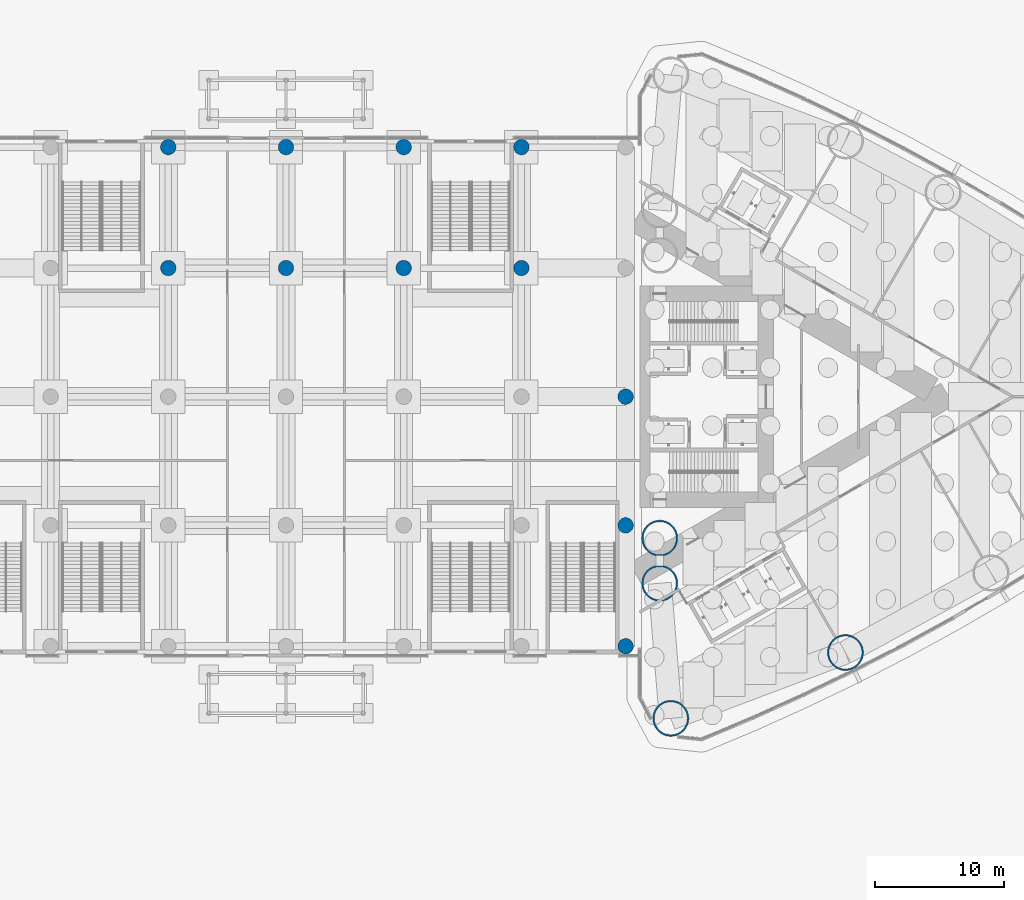
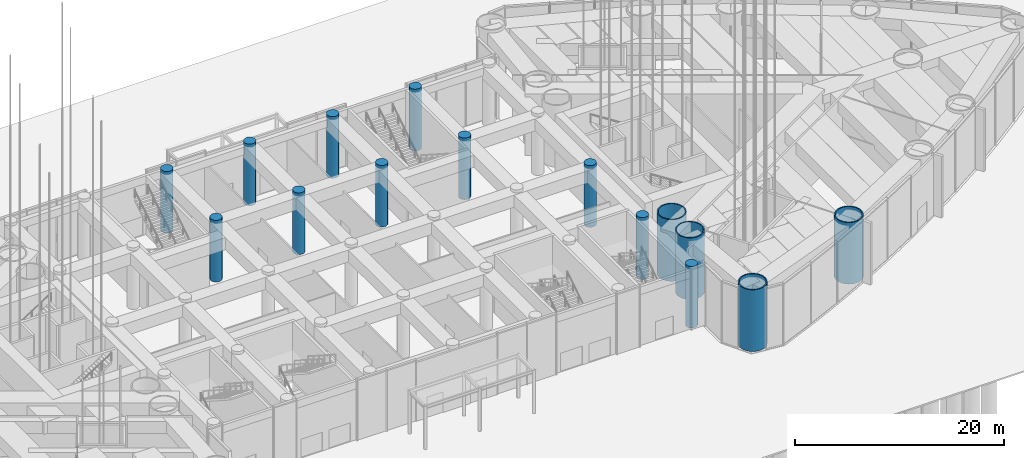
# One storey, part 4 of 43: 15 columns.
"""IFC4 building model written with IfcOpenShell, lengths in metres."""

from ifc_helpers import new_model, si_unit, direction, frame, origin, origin_2d, place, context, subcontext, project, spatial, circle, hollow_circle, extrude, material, material_profile, profile_set, type_object, element, save


model = new_model("IFC4")

# Units and contexts
model_context = context("Model", 3, precision=1e-05, world=origin(), true_north=direction((0.0, 1.0)))
body_context = subcontext(model_context, "Body", "Model", "MODEL_VIEW")
ifc_project = project(units=[si_unit("LENGTHUNIT", "METRE"), si_unit("AREAUNIT", "SQUARE_METRE"), si_unit("VOLUMEUNIT", "CUBIC_METRE"), si_unit("PLANEANGLEUNIT", "RADIAN"), si_unit("MASSUNIT", "GRAM", prefix="KILO")], contexts=[model_context])

# Site, building, storey
site_placement = place(None, origin())
site = spatial("IfcSite", under=ifc_project, at=site_placement, CompositionType="ELEMENT")
building_placement = place(site_placement, origin())
building = spatial("IfcBuilding", under=site, at=building_placement, Name="Lancet Gate Hotel", CompositionType="ELEMENT")
storey_placement = place(building_placement, origin())
storey = spatial("IfcBuildingStorey", under=building, at=storey_placement, Name="L00", CompositionType="ELEMENT", Elevation=0.0)

# Columns
ifc_material_1 = material(Name="Composite filled tube, grade 460 plate, grade 80/95 fill", Category="composite")
ifc_material_profile_1 = material_profile(ifc_material_1, hollow_circle(Radius=1.39990234375, WallThickness=0.1201171875, at=origin_2d()), Name="CHS 2800x120")
ifc_profile_set_1 = profile_set([ifc_material_profile_1], Name="Composite filled tube, grade 460 plate, grade 80/95 fill")
column_type_1 = type_object("IfcColumnType", Name="Perimeter column CFT CHS 2800x120", PredefinedType="COLUMN", material=ifc_profile_set_1)
for number, where, z_axis, x_axis, name in (
    (1, (29.9111328125, -25.00244140625, 0.0), (0.0, 0.0, 1.0), (1.0, 0.0, 0.0), "T2 column CS L00"),
    (2, (29.050048828125, -11.0, 0.0), (0.0, 0.0, 1.0), (1.0, 0.0, 0.0), "T2 column IS L00"),
    (3, (29.050048828125, -14.5, 0.0), (0.0, 0.0, 1.0), (1.0, 0.0, 0.0), "T2 column IT L00"),
    (4, (43.484130859375, -19.886474609375, 0.0), (0.0, 0.0, 1.0), (1.0, 0.0, 0.0), "T2 column OS1 L00"),
):
    element("IfcColumn", number, at=place(storey_placement, frame(where, z_axis=z_axis, x_axis=x_axis)), inside=storey, type_object=column_type_1, Name=name, PredefinedType="COLUMN", context=body_context, shape_type="SweptSolid", body=[
        extrude(hollow_circle(Radius=1.39990234375, WallThickness=0.1201171875, at=origin_2d()), origin(), (0.0, 0.0, 1.0), 7.199951171875),
    ])
ifc_material_2 = material(Name="Concrete C60/75", Category="concrete")
ifc_material_profile_2 = material_profile(ifc_material_2, circle(Radius=0.60009765625, at=origin_2d()), Name="RC D1200")
ifc_profile_set_2 = profile_set([ifc_material_profile_2], Name="Concrete C60/75")
column_type_2 = type_object("IfcColumnType", Name="Podium column RC D1200", PredefinedType="COLUMN", material=ifc_profile_set_2)
for number, where, z_axis, x_axis, name in (
    (5, (-9.14990234375, 10.0, 0.0), (0.0, 0.0, 1.0), (1.0, 0.0, 0.0), "Podium column 3D L00"),
    (6, (-9.14990234375, 19.39990234375, 0.0), (0.0, 0.0, 1.0), (1.0, 0.0, 0.0), "Podium column 3E L00"),
    (7, (0.0, 10.0, 0.0), (0.0, 0.0, 1.0), (1.0, 0.0, 0.0), "Podium column 4D L00"),
    (8, (0.0, 19.39990234375, 0.0), (0.0, 0.0, 1.0), (1.0, 0.0, 0.0), "Podium column 4E L00"),
    (9, (9.14990234375, 10.0, 0.0), (0.0, 0.0, 1.0), (1.0, 0.0, 0.0), "Podium column 5D L00"),
    (10, (9.14990234375, 19.39990234375, 0.0), (0.0, 0.0, 1.0), (1.0, 0.0, 0.0), "Podium column 5E L00"),
    (11, (18.300048828125, 10.0, 0.0), (0.0, 0.0, 1.0), (1.0, 0.0, 0.0), "Podium column 6D L00"),
    (12, (18.300048828125, 19.39990234375, 0.0), (0.0, 0.0, 1.0), (1.0, 0.0, 0.0), "Podium column 6E L00"),
    (13, (26.39990234375, -19.39990234375, 0.0), (0.0, 0.0, 1.0), (1.0, 0.0, 0.0), "Podium column 7A L00"),
    (14, (26.39990234375, -10.0, 0.0), (0.0, 0.0, 1.0), (1.0, 0.0, 0.0), "Podium column 7B L00"),
    (15, (26.39990234375, 0.0, 0.0), (0.0, 0.0, 1.0), (1.0, 0.0, 0.0), "Podium column 7C L00"),
):
    element("IfcColumn", number, at=place(storey_placement, frame(where, z_axis=z_axis, x_axis=x_axis)), inside=storey, type_object=column_type_2, Name=name, PredefinedType="COLUMN", context=body_context, shape_type="SweptSolid", body=[
        extrude(circle(Radius=0.60009765625, at=origin_2d()), origin(), (0.0, 0.0, 1.0), 7.199951171875),
    ])

save(model, "model.ifc")
